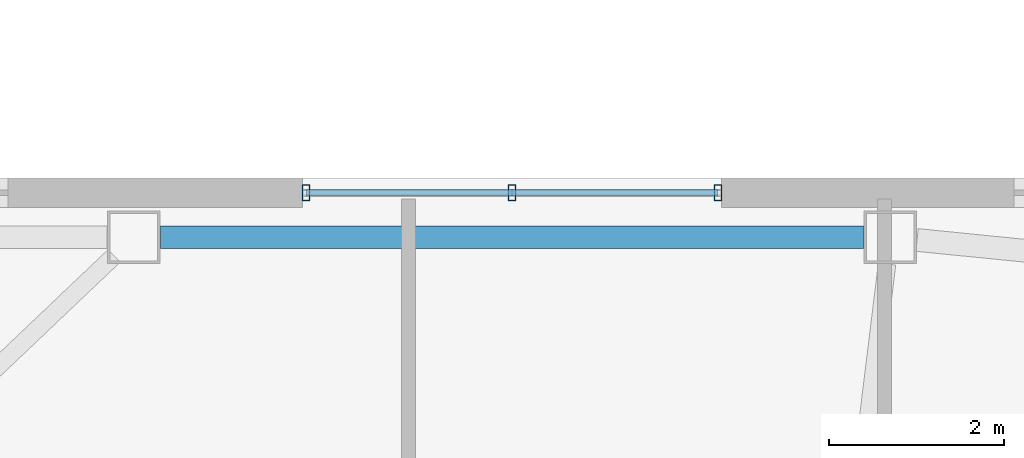
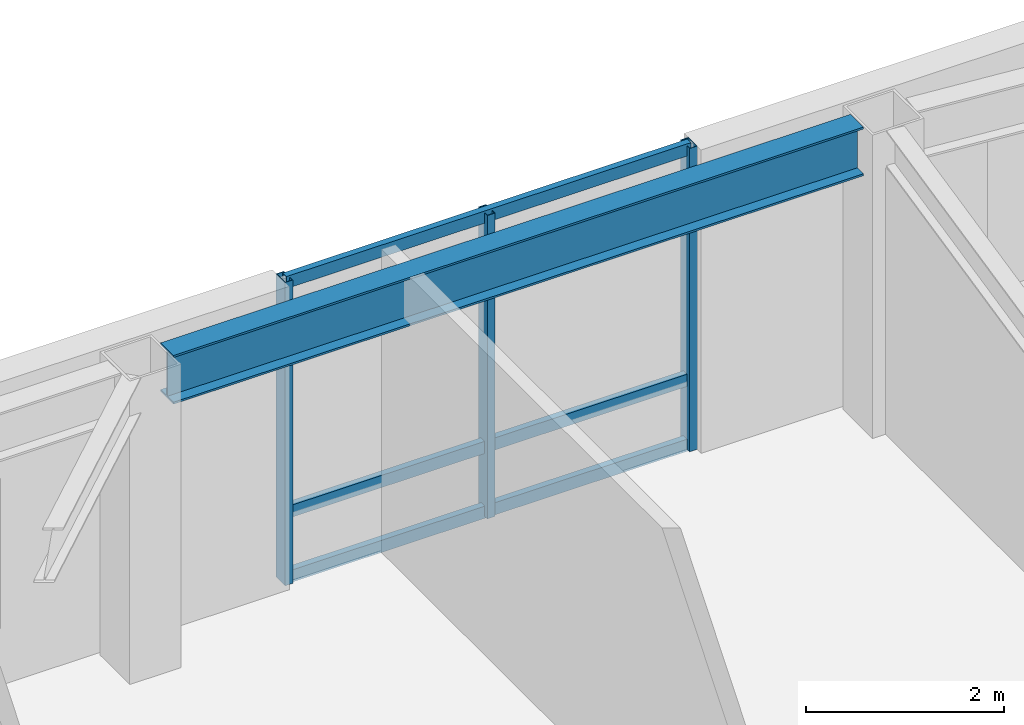
# One storey, part 8 of 18: 6 members, 1 beam, 1 element without a shape of its own.
"""IFC4 building model written with IfcOpenShell, lengths in metres."""

from ifc_helpers import new_model, si_unit, direction, frame, origin, origin_2d, place, context, subcontext, project, spatial, hollow_rectangle, i_section, extrude, material, layer, layer_set, material_profile, profile_set, type_object, element, aggregate, save


model = new_model("IFC4")

# Units and contexts
model_context = context("Model", 3, precision=1e-05, world=origin(), true_north=direction((0.0, 1.0)))
body_context = subcontext(model_context, "Body", "Model", "MODEL_VIEW")
ifc_project = project(units=[si_unit("LENGTHUNIT", "METRE"), si_unit("AREAUNIT", "SQUARE_METRE"), si_unit("VOLUMEUNIT", "CUBIC_METRE"), si_unit("PLANEANGLEUNIT", "RADIAN"), si_unit("MASSUNIT", "GRAM", prefix="KILO")], contexts=[model_context])

# Site, building, storey
site_placement = place(None, origin())
site = spatial("IfcSite", under=ifc_project, at=site_placement, CompositionType="ELEMENT")
building_placement = place(site_placement, origin())
building = spatial("IfcBuilding", under=site, at=building_placement, Name="Tavrogorsk Clinical Tower", CompositionType="ELEMENT")
storey_placement = place(building_placement, frame((0.0, 0.0, 184.199951171875)))
storey = spatial("IfcBuildingStorey", under=building, at=storey_placement, Name="L42", CompositionType="ELEMENT", Elevation=184.199951171875)

# Curtain wall, members
ifc_material_1 = material(Name="Anodised aluminium and triple IGU glazing", Category="aluminium")
ifc_layer = layer(ifc_material_1, 0.179931640625)
ifc_layer_set = layer_set([ifc_layer], Name="Anodised aluminium and triple IGU glazing")
curtain_wall_type = type_object("IfcCurtainWallType", Name="CW2_NorthSlot", PredefinedType="NOTDEFINED", material=ifc_layer_set)
curtain_wall_placement = place(storey_placement, origin())
curtain_wall = element("IfcCurtainWall", 1, at=curtain_wall_placement, inside=storey, type_object=curtain_wall_type, Name="L42 Curtain Wall CW-L42-N-SLOT-1", PredefinedType="NOTDEFINED")
ifc_material_2 = material(Name="Anodised aluminium alloy AW-6060", Category="aluminium")
ifc_material_profile_1 = material_profile(ifc_material_2, hollow_rectangle(XDim=0.090087890625, YDim=0.179931640625, WallThickness=0.00634765625, at=origin_2d()), Name="RHS-180x90x6.3")
ifc_profile_set_1 = profile_set([ifc_material_profile_1], Name="Anodised aluminium alloy AW-6060")
member_type_1 = type_object("IfcMemberType", Name="CwMullion_180x90", PredefinedType="MULLION", material=ifc_profile_set_1)
member_1_placement = place(storey_placement, frame((-3.90380859375, 26.929931640625, 0.0), z_axis=(0.0, 0.0, 1.0), x_axis=(-1.0, 0.0, 0.0)))
member_1 = element("IfcMember", 2, at=member_1_placement, type_object=member_type_1, Name="CW-L42-N-SLOT-1 Mullion 1", PredefinedType="MULLION", context=body_context, shape_type="SweptSolid", body=[
    extrude(hollow_rectangle(XDim=0.090087890625, YDim=0.179931640625, WallThickness=0.00634765625, at=origin_2d()), origin(), (0.0, 0.0, 1.0), 3.739990234375),
])
member_2_placement = place(storey_placement, frame((-6.262939453125, 26.929931640625, 0.0), z_axis=(0.0, 0.0, 1.0), x_axis=(-1.0, 0.0, 0.0)))
member_2 = element("IfcMember", 3, at=member_2_placement, type_object=member_type_1, Name="CW-L42-N-SLOT-1 Mullion 2", PredefinedType="MULLION", context=body_context, shape_type="SweptSolid", body=[
    extrude(hollow_rectangle(XDim=0.090087890625, YDim=0.179931640625, WallThickness=0.00634765625, at=origin_2d()), origin(), (0.0, 0.0, 1.0), 3.739990234375),
])
member_3_placement = place(storey_placement, frame((-8.621826171875, 26.929931640625, 0.0), z_axis=(0.0, 0.0, 1.0), x_axis=(-1.0, 0.0, 0.0)))
member_3 = element("IfcMember", 4, at=member_3_placement, type_object=member_type_1, Name="CW-L42-N-SLOT-1 Mullion 3", PredefinedType="MULLION", context=body_context, shape_type="SweptSolid", body=[
    extrude(hollow_rectangle(XDim=0.090087890625, YDim=0.179931640625, WallThickness=0.00634765625, at=origin_2d()), origin(), (0.0, 0.0, 1.0), 3.739990234375),
])
ifc_material_3 = material(Name="Anodised aluminium alloy AW-6060", Category="aluminium")
ifc_material_profile_2 = material_profile(ifc_material_3, hollow_rectangle(XDim=0.074951171875, YDim=0.14990234375, WallThickness=0.0048828125, at=origin_2d()), Name="RHS-150x75x5")
ifc_profile_set_2 = profile_set([ifc_material_profile_2], Name="Anodised aluminium alloy AW-6060")
member_type_2 = type_object("IfcMemberType", Name="CwTransom_150x75", PredefinedType="USERDEFINED", material=ifc_profile_set_2)
member_4_placement = place(storey_placement, frame((-3.90380859375, 26.929931640625, 0.050048828125), z_axis=(-1.0, 0.0, 0.0), x_axis=(0.0, -1.0, 0.0)))
member_4 = element("IfcMember", 5, at=member_4_placement, type_object=member_type_2, Name="CW-L42-N-SLOT-1 Transom 1", ObjectType="TRANSOM", PredefinedType="USERDEFINED", context=body_context, shape_type="SweptSolid", body=[
    extrude(hollow_rectangle(XDim=0.074951171875, YDim=0.14990234375, WallThickness=0.0048828125, at=origin_2d()), origin(), (0.0, 0.0, 1.0), 4.718017578125),
])
member_5_placement = place(storey_placement, frame((-3.90380859375, 26.929931640625, 0.85009765625), z_axis=(-1.0, 0.0, 0.0), x_axis=(0.0, -1.0, 0.0)))
member_5 = element("IfcMember", 6, at=member_5_placement, type_object=member_type_2, Name="CW-L42-N-SLOT-1 Transom 2", ObjectType="TRANSOM", PredefinedType="USERDEFINED", context=body_context, shape_type="SweptSolid", body=[
    extrude(hollow_rectangle(XDim=0.074951171875, YDim=0.14990234375, WallThickness=0.0048828125, at=origin_2d()), origin(), (0.0, 0.0, 1.0), 4.718017578125),
])
member_6_placement = place(storey_placement, frame((-3.90380859375, 26.929931640625, 3.68994140625), z_axis=(-1.0, 0.0, 0.0), x_axis=(0.0, -1.0, 0.0)))
member_6 = element("IfcMember", 7, at=member_6_placement, type_object=member_type_2, Name="CW-L42-N-SLOT-1 Transom 3", ObjectType="TRANSOM", PredefinedType="USERDEFINED", context=body_context, shape_type="SweptSolid", body=[
    extrude(hollow_rectangle(XDim=0.074951171875, YDim=0.14990234375, WallThickness=0.0048828125, at=origin_2d()), origin(), (0.0, 0.0, 1.0), 4.718017578125),
])
aggregate(curtain_wall, [member_1, member_2, member_3, member_4, member_5, member_6])

# Beam
ifc_material_4 = material(Name="Structural steel S390", Category="steel")
ifc_material_profile_3 = material_profile(ifc_material_4, i_section(OverallWidth=0.260009765625, OverallDepth=0.60009765625, WebThickness=0.014892578125, FlangeThickness=0.02392578125, at=origin_2d()), Name="B-600x260x15x24")
ifc_profile_set_3 = profile_set([ifc_material_profile_3], Name="Structural steel S390")
beam_type = type_object("IfcBeamType", Name="SpandrelBeam_B600", PredefinedType="SPANDREL", material=ifc_profile_set_3)
beam_placement = place(storey_placement, frame((-2.239501953125, 26.419921875, 3.43994140625), z_axis=(-1.0, 0.0, 0.0), x_axis=(0.0, -1.0, 0.0)))
element("IfcBeam", 8, at=beam_placement, inside=storey, type_object=beam_type, Name="L42 Perimeter Spandrel N5-N6", PredefinedType="SPANDREL", context=body_context, shape_type="SweptSolid", body=[
    extrude(i_section(OverallWidth=0.260009765625, OverallDepth=0.60009765625, WebThickness=0.014892578125, FlangeThickness=0.02392578125, at=origin_2d()), origin(), (0.0, 0.0, 1.0), 8.046875),
])

save(model, "model.ifc")
